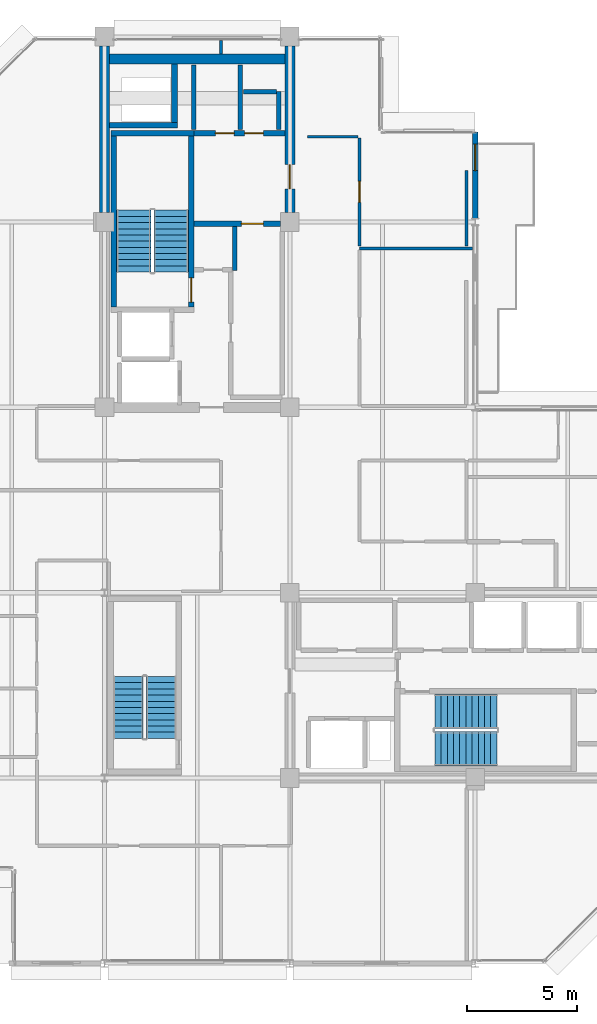
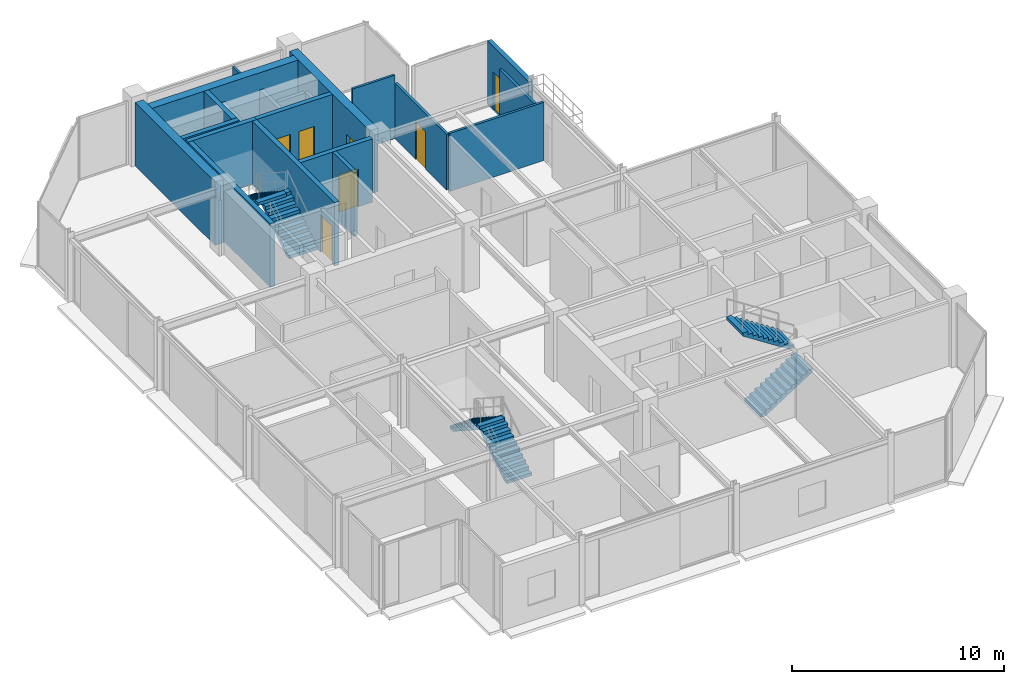
# One storey, part 22 of 25: 21 walls, 7 doors, 6 stair flights, 7 openings, 3 elements without a shape of their own.
"""IFC4 building model written with IfcOpenShell, lengths in metres."""

from ifc_helpers import new_model, si_unit, direction, frame, frame_2d, origin, place, context, subcontext, project, spatial, polyline, rectangle, outline, extrude, material, layer, layer_set, type_object, element, fill, aggregate, save


model = new_model("IFC4")

# Units and contexts
model_context = context("Model", 3, precision=1e-05, world=origin(), true_north=direction((0.0, 1.0)))
body_context = subcontext(model_context, "Body", "Model", "MODEL_VIEW")
ifc_project = project(units=[si_unit("LENGTHUNIT", "METRE"), si_unit("AREAUNIT", "SQUARE_METRE"), si_unit("VOLUMEUNIT", "CUBIC_METRE"), si_unit("PLANEANGLEUNIT", "RADIAN"), si_unit("MASSUNIT", "GRAM", prefix="KILO")], contexts=[model_context])

# Site, building, storey
site_placement = place(None, origin())
site = spatial("IfcSite", under=ifc_project, at=site_placement, CompositionType="ELEMENT")
building_placement = place(site_placement, origin())
building = spatial("IfcBuilding", under=site, at=building_placement, Name="Nerrivon Quay Data Exchange", CompositionType="ELEMENT")
storey_placement = place(building_placement, frame((0.0, 0.0, 318.199951171875)))
storey = spatial("IfcBuildingStorey", under=building, at=storey_placement, Name="L76", CompositionType="ELEMENT", Elevation=318.199951171875)

# Wall, opening, door
ifc_material_1 = material(Name="Architectural terracotta precast concrete N50 (50 MPa)", Category="masonry")
ifc_layer_1 = layer(ifc_material_1, 0.239990234375)
ifc_layer_set_1 = layer_set([ifc_layer_1], Name="Architectural terracotta precast concrete N50 (50 MPa)")
wall_type_1 = type_object("IfcWallType", Name="EW-PREC-240", PredefinedType="STANDARD", material=ifc_layer_set_1)
wall_1_placement = place(storey_placement, frame((25.199951171875, 37.679931640625, 0.0), z_axis=(0.0, 0.0, 1.0), x_axis=(0.0, -1.0, 0.0)))
wall_1 = element("IfcWall", 1, at=wall_1_placement, inside=storey, type_object=wall_type_1, Name="L76 Terrace Host Wall 19", PredefinedType="STANDARD", context=body_context, shape_type="SweptSolid", body=[
    extrude(rectangle(XDim=3.91650390625, YDim=0.239990234375, at=frame_2d((1.958251953125, 0.0))), origin(), (0.0, 0.0, 1.0), 3.650146484375),
])
opening_1_placement = place(wall_1_placement, frame((0.550048828125, 0.0, 0.0)))
opening_1 = element("IfcOpeningElement", 2, at=opening_1_placement, cuts=wall_1, Name="Opening TD1", PredefinedType="OPENING", context=body_context, shape_type="SweptSolid", body=[
    extrude(rectangle(XDim=1.199951171875, YDim=2.199951171875, at=frame_2d((0.60009765625, 1.10009765625))), frame((0.0, 0.1298828125, 0.0), z_axis=(0.0, -1.0, 0.0), x_axis=(1.0, 0.0, 0.0)), (0.0, 0.0, 1.0), 0.260009765625),
])
ifc_material_2 = material(Name="Double-glazed low-E solar control glass", Category="glass")
door_type_1 = type_object("IfcDoorType", Name="DR-TERR-1200x2200", OperationType="NOTDEFINED", PredefinedType="DOOR", material=ifc_material_2)
door_1_placement = place(opening_1_placement, origin())
door_1 = element("IfcDoor", 3, at=door_1_placement, inside=storey, type_object=door_type_1, Name="L76 Outdoor Terrace Access Door 19", OperationType="SINGLE_SWING_RIGHT", OverallHeight=2.199951171875, OverallWidth=1.199951171875, PredefinedType="DOOR", context=body_context, shape_type="SweptSolid", body=[
    extrude(rectangle(XDim=1.199951171875, YDim=2.199951171875, at=frame_2d((0.60009765625, 1.10009765625))), frame((0.0, 0.02490234375, 0.0), z_axis=(0.0, -1.0, 0.0), x_axis=(1.0, 0.0, 0.0)), (0.0, 0.0, 1.0), 0.050048828125),
])
fill(opening_1, door_1)

# Walls
ifc_material_3 = material(Name="Concrete N50 (50 MPa)", Category="concrete")
ifc_layer_2 = layer(ifc_material_3, 0.449951171875)
ifc_layer_set_2 = layer_set([ifc_layer_2], Name="Concrete N50 (50 MPa)")
wall_type_2 = type_object("IfcWallType", Name="WALL-CW-550", PredefinedType="SHEAR", material=ifc_layer_set_2)
wall_2_placement = place(storey_placement, frame((8.39990234375, 34.02490234375, 0.0), z_axis=(0.0, 0.0, 1.0), x_axis=(0.0, 1.0, 0.0)))
element("IfcWall", 4, at=wall_2_placement, inside=storey, type_object=wall_type_2, Name="L76 West Split-Core Shear Wall WCW-W2", PredefinedType="SHEAR", context=body_context, shape_type="SweptSolid", body=[
    extrude(rectangle(XDim=7.550048828125, YDim=0.449951171875, at=frame_2d((3.77490234375, 0.0))), origin(), (0.0, 0.0, 1.0), 3.650146484375),
])
wall_3_placement = place(storey_placement, frame((8.625, 40.97509765625, 0.0), z_axis=(0.0, 0.0, 1.0), x_axis=(1.0, 0.0, 0.0)))
element("IfcWall", 5, at=wall_3_placement, inside=storey, type_object=wall_type_2, Name="L76 West Split-Core Shear Wall WCW-N1", PredefinedType="SHEAR", context=body_context, shape_type="SweptSolid", body=[
    extrude(rectangle(XDim=7.949951171875, YDim=0.449951171875, at=frame_2d((3.97509765625, 0.0))), origin(), (0.0, 0.0, 1.0), 3.650146484375),
])

# Wall, opening, door
wall_4_placement = place(storey_placement, frame((16.800048828125, 34.02490234375, 0.0), z_axis=(0.0, 0.0, 1.0), x_axis=(0.0, 1.0, 0.0)))
wall_4 = element("IfcWall", 6, at=wall_4_placement, inside=storey, type_object=wall_type_2, Name="L76 West Split-Core Shear Wall WCW-E1", PredefinedType="SHEAR", context=body_context, shape_type="SweptSolid", body=[
    extrude(rectangle(XDim=7.550048828125, YDim=0.449951171875, at=frame_2d((3.77490234375, 0.0))), origin(), (0.0, 0.0, 1.0), 3.650146484375),
])
opening_2_placement = place(wall_4_placement, frame((1.074951171875, 0.0, 0.0)))
opening_2 = element("IfcOpeningElement", 7, at=opening_2_placement, cuts=wall_4, Name="Opening FD-120", PredefinedType="OPENING", context=body_context, shape_type="SweptSolid", body=[
    extrude(rectangle(XDim=1.10009765625, YDim=2.14990234375, at=frame_2d((0.550048828125, 1.074951171875))), frame((0.0, 0.23486328125, 0.0), z_axis=(0.0, -1.0, 0.0), x_axis=(1.0, 0.0, 0.0)), (0.0, 0.0, 1.0), 0.469970703125),
])
ifc_material_4 = material(Name="Powder-coated galvanized steel sheet", Category="steel")
door_type_2 = type_object("IfcDoorType", Name="DR-FD120-1100", OperationType="NOTDEFINED", PredefinedType="DOOR", material=ifc_material_4)
door_2_placement = place(opening_2_placement, origin())
door_2 = element("IfcDoor", 8, at=door_2_placement, inside=storey, type_object=door_type_2, Name="L76 West Core Lobby Fire Door", OperationType="SINGLE_SWING_RIGHT", OverallHeight=2.14990234375, OverallWidth=1.10009765625, PredefinedType="DOOR", context=body_context, shape_type="SweptSolid", body=[
    extrude(rectangle(XDim=1.10009765625, YDim=2.14990234375, at=frame_2d((0.550048828125, 1.074951171875))), frame((0.0, 0.02490234375, 0.0), z_axis=(0.0, -1.0, 0.0), x_axis=(1.0, 0.0, 0.0)), (0.0, 0.0, 1.0), 0.050048828125),
])
fill(opening_2, door_2)

# Walls
ifc_material_5 = material(Name="Gypsum plasterboard on cold-formed framing", Category="gypsum")
ifc_layer_3 = layer(ifc_material_5, 0.199951171875)
ifc_layer_set_3 = layer_set([ifc_layer_3], Name="Gypsum plasterboard on cold-formed framing")
wall_type_3 = type_object("IfcWallType", Name="WALL-FW-200", PredefinedType="PARTITIONING", material=ifc_layer_set_3)
wall_5_placement = place(storey_placement, frame((14.300048828125, 33.39111328125, 0.0), z_axis=(0.0, 0.0, 1.0), x_axis=(0.0, -1.0, 0.0)))
element("IfcWall", 9, at=wall_5_placement, inside=storey, type_object=wall_type_3, Name="L76 Partition Core Equipment Store", PredefinedType="PARTITIONING", context=body_context, shape_type="SweptSolid", body=[
    extrude(rectangle(XDim=1.9912109375, YDim=0.199951171875, at=frame_2d((0.99560546875, 0.0))), origin(), (0.0, 0.0, 1.0), 3.650146484375),
])
for number, where, z_axis, x_axis, name in (
    (10, (14.550048828125, 37.780029296875, 0.0), (0.0, 0.0, 1.0), (0.0, 1.0, 0.0), "L76 Partition Electrical Switchboard Closet"),
    (11, (12.449951171875, 40.699951171875, 0.0), (0.0, 0.0, 1.0), (0.0, -1.0, 0.0), "L76 Partition Electrical Switchboard Closet"),
):
    element("IfcWall", number, at=place(storey_placement, frame(where, z_axis=z_axis, x_axis=x_axis)), inside=storey, type_object=wall_type_3, Name=name, PredefinedType="PARTITIONING", context=body_context, shape_type="SweptSolid", body=[
        extrude(rectangle(XDim=2.919921875, YDim=0.199951171875, at=frame_2d((1.4599609375, 0.0))), origin(), (0.0, 0.0, 1.0), 2.699951171875),
    ])
wall_6_placement = place(storey_placement, frame((16.300048828125, 37.780029296875, 0.0), z_axis=(0.0, 0.0, 1.0), x_axis=(0.0, 1.0, 0.0)))
element("IfcWall", 12, at=wall_6_placement, inside=storey, type_object=wall_type_3, Name="L76 Partition Janitor Closet", PredefinedType="PARTITIONING", context=body_context, shape_type="SweptSolid", body=[
    extrude(rectangle(XDim=1.719970703125, YDim=0.199951171875, at=frame_2d((0.85986328125, 0.0))), origin(), (0.0, 0.0, 1.0), 2.699951171875),
])
wall_7_placement = place(storey_placement, frame((16.196044921875, 39.5, 0.0), z_axis=(0.0, 0.0, 1.0), x_axis=(-1.0, 0.0, 0.0)))
element("IfcWall", 13, at=wall_7_placement, inside=storey, type_object=wall_type_3, Name="L76 Partition Janitor Closet", PredefinedType="PARTITIONING", context=body_context, shape_type="SweptSolid", body=[
    extrude(rectangle(XDim=1.506103515625, YDim=0.199951171875, at=frame_2d((0.7529296875, 0.0))), origin(), (0.0, 0.0, 1.0), 2.699951171875),
])
ifc_layer_4 = layer(ifc_material_5, 0.1201171875)
ifc_layer_set_4 = layer_set([ifc_layer_4], Name="Gypsum plasterboard on cold-formed framing")
wall_type_4 = type_object("IfcWallType", Name="WALL-PT-120", PredefinedType="PARTITIONING", material=ifc_layer_set_4)
wall_8_placement = place(storey_placement, frame((13.6826171875, 41.8310546875, 0.0), z_axis=(0.0, 0.0, 1.0), x_axis=(0.0, -1.0, 0.0)))
element("IfcWall", 14, at=wall_8_placement, inside=storey, type_object=wall_type_4, Name="L76 Partition Peering Day Lounge", PredefinedType="PARTITIONING", context=body_context, shape_type="SweptSolid", body=[
    extrude(rectangle(XDim=0.626953125, YDim=0.1201171875, at=frame_2d((0.3134765625, 0.0))), origin(), (0.0, 0.0, 1.0), 3.650146484375),
])
wall_9_placement = place(storey_placement, frame((17.60009765625, 37.4599609375, 0.0), z_axis=(0.0, 0.0, 1.0), x_axis=(1.0, 0.0, 0.0)))
element("IfcWall", 15, at=wall_9_placement, inside=storey, type_object=wall_type_4, Name="L76 Partition Peering Day Lounge", PredefinedType="PARTITIONING", context=body_context, shape_type="SweptSolid", body=[
    extrude(rectangle(XDim=2.2998046875, YDim=0.1201171875, at=frame_2d((1.14990234375, 0.0))), origin(), (0.0, 0.0, 1.0), 3.650146484375),
])
ifc_layer_5 = layer(ifc_material_5, 0.135009765625)
ifc_layer_set_5 = layer_set([ifc_layer_5], Name="Gypsum plasterboard on cold-formed framing")
wall_type_5 = type_object("IfcWallType", Name="WALL-PT-135", PredefinedType="PARTITIONING", material=ifc_layer_set_5)
wall_10_placement = place(storey_placement, frame((25.075927734375, 32.39794921875, 0.0), z_axis=(0.0, 0.0, 1.0), x_axis=(-1.0, 0.0, 0.0)))
element("IfcWall", 16, at=wall_10_placement, inside=storey, type_object=wall_type_5, Name="L76 Partition Engineers Lounge", PredefinedType="PARTITIONING", context=body_context, shape_type="SweptSolid", body=[
    extrude(rectangle(XDim=5.115966796875, YDim=0.135009765625, at=frame_2d((2.55810546875, 0.0))), origin(), (0.0, 0.0, 1.0), 3.345947265625),
])

# Wall, opening, door
wall_11_placement = place(storey_placement, frame((19.9599609375, 37.39990234375, 0.0), z_axis=(0.0, 0.0, 1.0), x_axis=(0.0, -1.0, 0.0)))
wall_11 = element("IfcWall", 17, at=wall_11_placement, inside=storey, type_object=wall_type_5, Name="L76 Partition Peering Day Lounge", PredefinedType="PARTITIONING", context=body_context, shape_type="SweptSolid", body=[
    extrude(rectangle(XDim=4.8818359375, YDim=0.135009765625, at=frame_2d((2.44091796875, 0.0))), origin(), (0.0, 0.0, 1.0), 3.196044921875),
])
opening_3_placement = place(wall_11_placement, frame((1.966064453125, 0.0, 0.0)))
opening_3 = element("IfcOpeningElement", 18, at=opening_3_placement, cuts=wall_11, Name="Opening D-01", PredefinedType="OPENING", context=body_context, shape_type="SweptSolid", body=[
    extrude(rectangle(XDim=0.949951171875, YDim=2.14990234375, at=frame_2d((0.47509765625, 1.074951171875))), frame((0.0, 0.077392578125, 0.0), z_axis=(0.0, -1.0, 0.0), x_axis=(1.0, 0.0, 0.0)), (0.0, 0.0, 1.0), 0.155029296875),
])
ifc_material_6 = material(Name="Engineered hardwood timber", Category="wood")
door_type_3 = type_object("IfcDoorType", Name="DR-INT-950", OperationType="NOTDEFINED", PredefinedType="DOOR", material=ifc_material_6)
door_3_placement = place(opening_3_placement, origin())
door_3 = element("IfcDoor", 19, at=door_3_placement, inside=storey, type_object=door_type_3, Name="L76 Door Peering Day Lounge", OperationType="SINGLE_SWING_RIGHT", OverallHeight=2.14990234375, OverallWidth=0.949951171875, PredefinedType="DOOR", context=body_context, shape_type="SweptSolid", body=[
    extrude(rectangle(XDim=0.949951171875, YDim=2.14990234375, at=frame_2d((0.47509765625, 1.074951171875))), frame((0.0, 0.02490234375, 0.0), z_axis=(0.0, -1.0, 0.0), x_axis=(1.0, 0.0, 0.0)), (0.0, 0.0, 1.0), 0.050048828125),
])
fill(opening_3, door_3)

# Walls
wall_12_placement = place(storey_placement, frame((24.7958984375, 32.51806640625, 0.0), z_axis=(0.0, 0.0, 1.0), x_axis=(0.0, 1.0, 0.0)))
element("IfcWall", 20, at=wall_12_placement, inside=storey, type_object=wall_type_5, Name="L76 Partition Peering Day Lounge", PredefinedType="PARTITIONING", context=body_context, shape_type="SweptSolid", body=[
    extrude(rectangle(XDim=3.411865234375, YDim=0.135009765625, at=frame_2d((1.7060546875, 0.0))), origin(), (0.0, 0.0, 1.0), 3.196044921875),
])
ifc_layer_6 = layer(ifc_material_3, 0.25)
ifc_layer_set_6 = layer_set([ifc_layer_6], Name="Concrete N50 (50 MPa)")
wall_type_6 = type_object("IfcWallType", Name="WALL-SW-250", PredefinedType="SHEAR", material=ifc_layer_set_6)
wall_13_placement = place(storey_placement, frame((12.449951171875, 37.625, 0.0), z_axis=(0.0, 0.0, 1.0), x_axis=(-1.0, 0.0, 0.0)))
element("IfcWall", 21, at=wall_13_placement, inside=storey, type_object=wall_type_6, Name="L76 ST01 Structural Stair Core Wall FAR", PredefinedType="SHEAR", context=body_context, shape_type="SweptSolid", body=[
    extrude(rectangle(XDim=3.75, YDim=0.25, at=frame_2d((1.875, 0.0))), origin(), (0.0, 0.0, 1.0), 3.650146484375),
])

# Wall, opening, door
wall_14_placement = place(storey_placement, frame((12.324951171875, 29.75, 0.0), z_axis=(0.0, 0.0, 1.0), x_axis=(0.0, 1.0, 0.0)))
wall_14 = element("IfcWall", 22, at=wall_14_placement, inside=storey, type_object=wall_type_6, Name="L76 ST01 Structural Stair Core Wall LEFT", PredefinedType="SHEAR", context=body_context, shape_type="SweptSolid", body=[
    extrude(rectangle(XDim=7.75, YDim=0.25, at=frame_2d((3.875, 0.0))), origin(), (0.0, 0.0, 1.0), 3.650146484375),
])
opening_4_placement = place(wall_14_placement, frame((0.219970703125, 0.0, 0.0)))
opening_4 = element("IfcOpeningElement", 23, at=opening_4_placement, cuts=wall_14, Name="Opening FD-120", PredefinedType="OPENING", context=body_context, shape_type="SweptSolid", body=[
    extrude(rectangle(XDim=1.10009765625, YDim=2.14990234375, at=frame_2d((0.550048828125, 1.074951171875))), frame((0.0, 0.135009765625, 0.0), z_axis=(0.0, -1.0, 0.0), x_axis=(1.0, 0.0, 0.0)), (0.0, 0.0, 1.0), 0.27001953125),
])
door_4_placement = place(opening_4_placement, origin())
door_4 = element("IfcDoor", 24, at=door_4_placement, inside=storey, type_object=door_type_2, Name="L76 Protected Stair Door ST01", OperationType="SINGLE_SWING_LEFT", OverallHeight=2.14990234375, OverallWidth=1.10009765625, PredefinedType="DOOR", context=body_context, shape_type="SweptSolid", body=[
    extrude(rectangle(XDim=1.10009765625, YDim=2.14990234375, at=frame_2d((0.550048828125, 1.074951171875))), frame((0.0, 0.02490234375, 0.0), z_axis=(0.0, -1.0, 0.0), x_axis=(1.0, 0.0, 0.0)), (0.0, 0.0, 1.0), 0.050048828125),
])
fill(opening_4, door_4)

# Walls
wall_15_placement = place(storey_placement, frame((8.824951171875, 29.75, 0.0), z_axis=(0.0, 0.0, 1.0), x_axis=(0.0, 1.0, 0.0)))
element("IfcWall", 25, at=wall_15_placement, inside=storey, type_object=wall_type_6, Name="L76 ST01 Structural Stair Core Wall RIGHT", PredefinedType="SHEAR", context=body_context, shape_type="SweptSolid", body=[
    extrude(rectangle(XDim=7.75, YDim=0.25, at=frame_2d((3.875, 0.0))), origin(), (0.0, 0.0, 1.0), 3.650146484375),
])
wall_16_placement = place(storey_placement, frame((8.625, 37.97509765625, 0.0), z_axis=(0.0, 0.0, 1.0), x_axis=(1.0, 0.0, 0.0)))
element("IfcWall", 26, at=wall_16_placement, inside=storey, type_object=wall_type_6, Name="L76 West Core MEP Riser Shaft Wall S", PredefinedType="SHEAR", context=body_context, shape_type="SweptSolid", body=[
    extrude(rectangle(XDim=3.074951171875, YDim=0.25, at=frame_2d((1.53759765625, 0.0))), origin(), (0.0, 0.0, 1.0), 3.650146484375),
])
wall_17_placement = place(storey_placement, frame((11.574951171875, 38.10009765625, 0.0), z_axis=(0.0, 0.0, 1.0), x_axis=(0.0, 1.0, 0.0)))
element("IfcWall", 27, at=wall_17_placement, inside=storey, type_object=wall_type_6, Name="L76 West Core MEP Riser Shaft Wall E", PredefinedType="SHEAR", context=body_context, shape_type="SweptSolid", body=[
    extrude(rectangle(XDim=2.64990234375, YDim=0.25, at=frame_2d((1.324951171875, 0.0))), origin(), (0.0, 0.0, 1.0), 3.650146484375),
])

# Wall, opening, door
wall_18_placement = place(storey_placement, frame((12.449951171875, 33.52001953125, 0.0), z_axis=(0.0, 0.0, 1.0), x_axis=(1.0, 0.0, 0.0)))
wall_18 = element("IfcWall", 28, at=wall_18_placement, inside=storey, type_object=wall_type_6, Name="L76 West Lobby Smoke-Stop Wall", PredefinedType="SHEAR", context=body_context, shape_type="SweptSolid", body=[
    extrude(rectangle(XDim=3.925048828125, YDim=0.25, at=frame_2d((1.96240234375, 0.0))), origin(), (0.0, 0.0, 1.0), 3.650146484375),
])
opening_5_placement = place(wall_18_placement, frame((2.14990234375, 0.0, 0.0)))
opening_5 = element("IfcOpeningElement", 29, at=opening_5_placement, cuts=wall_18, Name="Opening FD-60", PredefinedType="OPENING", context=body_context, shape_type="SweptSolid", body=[
    extrude(rectangle(XDim=1.0, YDim=2.14990234375, at=frame_2d((0.5, 1.074951171875))), frame((0.0, 0.135009765625, 0.0), z_axis=(0.0, -1.0, 0.0), x_axis=(1.0, 0.0, 0.0)), (0.0, 0.0, 1.0), 0.27001953125),
])
door_type_4 = type_object("IfcDoorType", Name="DR-FD60-1000", OperationType="NOTDEFINED", PredefinedType="DOOR", material=ifc_material_6)
door_5_placement = place(opening_5_placement, origin())
door_5 = element("IfcDoor", 30, at=door_5_placement, inside=storey, type_object=door_type_4, Name="L76 West Firefighting Lobby Fire Door", OperationType="SINGLE_SWING_RIGHT", OverallHeight=2.14990234375, OverallWidth=1.0, PredefinedType="DOOR", context=body_context, shape_type="SweptSolid", body=[
    extrude(rectangle(XDim=1.0, YDim=2.14990234375, at=frame_2d((0.5, 1.074951171875))), frame((0.0, 0.02490234375, 0.0), z_axis=(0.0, -1.0, 0.0), x_axis=(1.0, 0.0, 0.0)), (0.0, 0.0, 1.0), 0.050048828125),
])
fill(opening_5, door_5)

# Wall, openings, doors
wall_19_placement = place(storey_placement, frame((12.449951171875, 37.625, 0.0), z_axis=(0.0, 0.0, 1.0), x_axis=(1.0, 0.0, 0.0)))
wall_19 = element("IfcWall", 31, at=wall_19_placement, inside=storey, type_object=wall_type_6, Name="L76 West Firefighting Lobby Wall", PredefinedType="SHEAR", context=body_context, shape_type="SweptSolid", body=[
    extrude(rectangle(XDim=4.125, YDim=0.25, at=frame_2d((2.0625, 0.0))), origin(), (0.0, 0.0, 1.0), 3.650146484375),
])
opening_6_placement = place(wall_19_placement, frame((0.9775390625, 0.0, 0.0)))
opening_6 = element("IfcOpeningElement", 32, at=opening_6_placement, cuts=wall_19, Name="Opening FD-60S", PredefinedType="OPENING", context=body_context, shape_type="SweptSolid", body=[
    extrude(rectangle(XDim=0.85009765625, YDim=2.14990234375, at=frame_2d((0.425048828125, 1.074951171875))), frame((0.0, 0.135009765625, 0.0), z_axis=(0.0, -1.0, 0.0), x_axis=(1.0, 0.0, 0.0)), (0.0, 0.0, 1.0), 0.27001953125),
])
opening_7_placement = place(wall_19_placement, frame((2.297607421875, 0.0, 0.0)))
opening_7 = element("IfcOpeningElement", 33, at=opening_7_placement, cuts=wall_19, Name="Opening FD-60S", PredefinedType="OPENING", context=body_context, shape_type="SweptSolid", body=[
    extrude(rectangle(XDim=0.85009765625, YDim=2.14990234375, at=frame_2d((0.425048828125, 1.074951171875))), frame((0.0, 0.135009765625, 0.0), z_axis=(0.0, -1.0, 0.0), x_axis=(1.0, 0.0, 0.0)), (0.0, 0.0, 1.0), 0.27001953125),
])
door_type_5 = type_object("IfcDoorType", Name="DR-FD60-850", OperationType="NOTDEFINED", PredefinedType="DOOR", material=ifc_material_6)
door_6_placement = place(opening_6_placement, origin())
door_6 = element("IfcDoor", 34, at=door_6_placement, inside=storey, type_object=door_type_5, Name="L76 Door Electrical Switchboard Closet", OperationType="SINGLE_SWING_RIGHT", OverallHeight=2.14990234375, OverallWidth=0.85009765625, PredefinedType="DOOR", context=body_context, shape_type="SweptSolid", body=[
    extrude(rectangle(XDim=0.85009765625, YDim=2.14990234375, at=frame_2d((0.425048828125, 1.074951171875))), frame((0.0, 0.02490234375, 0.0), z_axis=(0.0, -1.0, 0.0), x_axis=(1.0, 0.0, 0.0)), (0.0, 0.0, 1.0), 0.050048828125),
])
fill(opening_6, door_6)
door_7_placement = place(opening_7_placement, origin())
door_7 = element("IfcDoor", 35, at=door_7_placement, inside=storey, type_object=door_type_5, Name="L76 Door Janitor Closet", OperationType="SINGLE_SWING_LEFT", OverallHeight=2.14990234375, OverallWidth=0.85009765625, PredefinedType="DOOR", context=body_context, shape_type="SweptSolid", body=[
    extrude(rectangle(XDim=0.85009765625, YDim=2.14990234375, at=frame_2d((0.425048828125, 1.074951171875))), frame((0.0, 0.02490234375, 0.0), z_axis=(0.0, -1.0, 0.0), x_axis=(1.0, 0.0, 0.0)), (0.0, 0.0, 1.0), 0.050048828125),
])
fill(opening_7, door_7)

# Stair, stair flights
stair_type = type_object("IfcStairType", Name="STAIR-DOG-40", PredefinedType="HALF_TURN_STAIR", material=ifc_material_3)
stair_1_placement = place(storey_placement, origin())
stair_1 = element("IfcStair", 36, at=stair_1_placement, inside=storey, type_object=stair_type, Name="L76 West Core Fire Stair ST01", PredefinedType="HALF_TURN_STAIR")
stair_flight_type = type_object("IfcStairFlightType", Name="FLIGHT-DOG-40", PredefinedType="STRAIGHT", material=ifc_material_3)
stair_flight_1_placement = place(storey_placement, frame((11.425048828125, 31.330078125, 0.0), z_axis=(0.0, 0.0, 1.0), x_axis=(0.0, 1.0, 0.0)))
stair_flight_1 = element("IfcStairFlight", 37, at=stair_flight_1_placement, type_object=stair_flight_type, Name="ST01 flight 1", NumberOfRisers=11, NumberOfTreads=10, PredefinedType="STRAIGHT", RiserHeight=0.181818182, TreadLength=0.28, context=body_context, shape_type="SweptSolid", body=[
    extrude(outline(polyline([(0.0, 0.0), (0.0, 0.181884765625), (0.280029296875, 0.181884765625), (0.280029296875, 0.363525390625), (0.56005859375, 0.363525390625), (0.56005859375, 0.54541015625), (0.840087890625, 0.54541015625), (0.840087890625, 0.727294921875), (1.1201171875, 0.727294921875), (1.1201171875, 0.9091796875), (1.39990234375, 0.9091796875), (1.39990234375, 1.0908203125), (1.679931640625, 1.0908203125), (1.679931640625, 1.272705078125), (1.9599609375, 1.272705078125), (1.9599609375, 1.45458984375), (2.239990234375, 1.45458984375), (2.239990234375, 1.636474609375), (2.52001953125, 1.636474609375), (2.52001953125, 1.818115234375), (2.800048828125, 1.818115234375), (2.800048828125, 2.0), (2.800048828125, 1.639404296875), (0.275146484375, 0.0), (0.0, 0.0)])), frame((0.0, 0.77490234375, 0.0), z_axis=(0.0, -1.0, 0.0), x_axis=(1.0, 0.0, 0.0)), (0.0, 0.0, 1.0), 1.550048828125),
])
stair_flight_2_placement = place(storey_placement, frame((9.72509765625, 34.1298828125, 2.0), z_axis=(0.0, 0.0, 1.0), x_axis=(0.0, -1.0, 0.0)))
stair_flight_2 = element("IfcStairFlight", 38, at=stair_flight_2_placement, type_object=stair_flight_type, Name="ST01 flight 2", NumberOfRisers=11, NumberOfTreads=10, PredefinedType="STRAIGHT", RiserHeight=0.181818182, TreadLength=0.28, context=body_context, shape_type="SweptSolid", body=[
    extrude(outline(polyline([(0.0, 0.0), (0.0, 0.181884765625), (0.280029296875, 0.181884765625), (0.280029296875, 0.363525390625), (0.56005859375, 0.363525390625), (0.56005859375, 0.54541015625), (0.840087890625, 0.54541015625), (0.840087890625, 0.727294921875), (1.1201171875, 0.727294921875), (1.1201171875, 0.9091796875), (1.39990234375, 0.9091796875), (1.39990234375, 1.0908203125), (1.679931640625, 1.0908203125), (1.679931640625, 1.272705078125), (1.9599609375, 1.272705078125), (1.9599609375, 1.45458984375), (2.239990234375, 1.45458984375), (2.239990234375, 1.636474609375), (2.52001953125, 1.636474609375), (2.52001953125, 1.818115234375), (2.800048828125, 1.818115234375), (2.800048828125, 2.0), (2.800048828125, 1.639404296875), (0.275146484375, 0.0), (0.0, 0.0)])), frame((0.0, 0.77490234375, 0.0), z_axis=(0.0, -1.0, 0.0), x_axis=(1.0, 0.0, 0.0)), (0.0, 0.0, 1.0), 1.550048828125),
])
aggregate(stair_1, [stair_flight_1, stair_flight_2])

stair_2_placement = place(storey_placement, origin())
stair_2 = element("IfcStair", 39, at=stair_2_placement, inside=storey, type_object=stair_type, Name="L76 East Core Fire Stair ST02", PredefinedType="HALF_TURN_STAIR")
stair_flight_3_placement = place(storey_placement, frame((23.3798828125, 9.72509765625, 0.0), z_axis=(0.0, 0.0, 1.0), x_axis=(1.0, 0.0, 0.0)))
stair_flight_3 = element("IfcStairFlight", 40, at=stair_flight_3_placement, type_object=stair_flight_type, Name="ST02 flight 1", NumberOfRisers=11, NumberOfTreads=10, PredefinedType="STRAIGHT", RiserHeight=0.181818182, TreadLength=0.28, context=body_context, shape_type="SweptSolid", body=[
    extrude(outline(polyline([(0.0, 0.0), (0.0, 0.181884765625), (0.280029296875, 0.181884765625), (0.280029296875, 0.363525390625), (0.56005859375, 0.363525390625), (0.56005859375, 0.54541015625), (0.840087890625, 0.54541015625), (0.840087890625, 0.727294921875), (1.1201171875, 0.727294921875), (1.1201171875, 0.9091796875), (1.39990234375, 0.9091796875), (1.39990234375, 1.0908203125), (1.679931640625, 1.0908203125), (1.679931640625, 1.272705078125), (1.9599609375, 1.272705078125), (1.9599609375, 1.45458984375), (2.239990234375, 1.45458984375), (2.239990234375, 1.636474609375), (2.52001953125, 1.636474609375), (2.52001953125, 1.818115234375), (2.800048828125, 1.818115234375), (2.800048828125, 2.0), (2.800048828125, 1.639404296875), (0.275146484375, 0.0), (0.0, 0.0)])), frame((0.0, 0.77490234375, 0.0), z_axis=(0.0, -1.0, 0.0), x_axis=(1.0, 0.0, 0.0)), (0.0, 0.0, 1.0), 1.550048828125),
])
stair_flight_4_placement = place(storey_placement, frame((26.179931640625, 11.425048828125, 2.0), z_axis=(0.0, 0.0, 1.0), x_axis=(-1.0, 0.0, 0.0)))
stair_flight_4 = element("IfcStairFlight", 41, at=stair_flight_4_placement, type_object=stair_flight_type, Name="ST02 flight 2", NumberOfRisers=11, NumberOfTreads=10, PredefinedType="STRAIGHT", RiserHeight=0.181818182, TreadLength=0.28, context=body_context, shape_type="SweptSolid", body=[
    extrude(outline(polyline([(0.0, 0.0), (0.0, 0.181884765625), (0.280029296875, 0.181884765625), (0.280029296875, 0.363525390625), (0.56005859375, 0.363525390625), (0.56005859375, 0.54541015625), (0.840087890625, 0.54541015625), (0.840087890625, 0.727294921875), (1.1201171875, 0.727294921875), (1.1201171875, 0.9091796875), (1.39990234375, 0.9091796875), (1.39990234375, 1.0908203125), (1.679931640625, 1.0908203125), (1.679931640625, 1.272705078125), (1.9599609375, 1.272705078125), (1.9599609375, 1.45458984375), (2.239990234375, 1.45458984375), (2.239990234375, 1.636474609375), (2.52001953125, 1.636474609375), (2.52001953125, 1.818115234375), (2.800048828125, 1.818115234375), (2.800048828125, 2.0), (2.800048828125, 1.639404296875), (0.275146484375, 0.0), (0.0, 0.0)])), frame((0.0, 0.77490234375, 0.0), z_axis=(0.0, -1.0, 0.0), x_axis=(1.0, 0.0, 0.0)), (0.0, 0.0, 1.0), 1.550048828125),
])
aggregate(stair_2, [stair_flight_3, stair_flight_4])

stair_3_placement = place(storey_placement, origin())
stair_3 = element("IfcStair", 42, at=stair_3_placement, inside=storey, type_object=stair_type, Name="L76 Crown Maintenance Stair ST08", PredefinedType="HALF_TURN_STAIR")
stair_flight_5_placement = place(storey_placement, frame((10.97509765625, 10.199951171875, 0.0), z_axis=(0.0, 0.0, 1.0), x_axis=(0.0, 1.0, 0.0)))
stair_flight_5 = element("IfcStairFlight", 43, at=stair_flight_5_placement, type_object=stair_flight_type, Name="ST08 flight 1", NumberOfRisers=11, NumberOfTreads=10, PredefinedType="STRAIGHT", RiserHeight=0.181818182, TreadLength=0.28, context=body_context, shape_type="SweptSolid", body=[
    extrude(outline(polyline([(0.0, 0.0), (0.0, 0.181884765625), (0.280029296875, 0.181884765625), (0.280029296875, 0.363525390625), (0.56005859375, 0.363525390625), (0.56005859375, 0.54541015625), (0.840087890625, 0.54541015625), (0.840087890625, 0.727294921875), (1.1201171875, 0.727294921875), (1.1201171875, 0.9091796875), (1.39990234375, 0.9091796875), (1.39990234375, 1.0908203125), (1.679931640625, 1.0908203125), (1.679931640625, 1.272705078125), (1.9599609375, 1.272705078125), (1.9599609375, 1.45458984375), (2.239990234375, 1.45458984375), (2.239990234375, 1.636474609375), (2.52001953125, 1.636474609375), (2.52001953125, 1.818115234375), (2.800048828125, 1.818115234375), (2.800048828125, 2.0), (2.800048828125, 1.639404296875), (0.275146484375, 0.0), (0.0, 0.0)])), frame((0.0, 0.675048828125, 0.0), z_axis=(0.0, -1.0, 0.0), x_axis=(1.0, 0.0, 0.0)), (0.0, 0.0, 1.0), 1.35009765625),
])
stair_flight_6_placement = place(storey_placement, frame((9.47509765625, 13.0, 2.0), z_axis=(0.0, 0.0, 1.0), x_axis=(0.0, -1.0, 0.0)))
stair_flight_6 = element("IfcStairFlight", 44, at=stair_flight_6_placement, type_object=stair_flight_type, Name="ST08 flight 2", NumberOfRisers=11, NumberOfTreads=10, PredefinedType="STRAIGHT", RiserHeight=0.181818182, TreadLength=0.28, context=body_context, shape_type="SweptSolid", body=[
    extrude(outline(polyline([(0.0, 0.0), (0.0, 0.181884765625), (0.280029296875, 0.181884765625), (0.280029296875, 0.363525390625), (0.56005859375, 0.363525390625), (0.56005859375, 0.54541015625), (0.840087890625, 0.54541015625), (0.840087890625, 0.727294921875), (1.1201171875, 0.727294921875), (1.1201171875, 0.9091796875), (1.39990234375, 0.9091796875), (1.39990234375, 1.0908203125), (1.679931640625, 1.0908203125), (1.679931640625, 1.272705078125), (1.9599609375, 1.272705078125), (1.9599609375, 1.45458984375), (2.239990234375, 1.45458984375), (2.239990234375, 1.636474609375), (2.52001953125, 1.636474609375), (2.52001953125, 1.818115234375), (2.800048828125, 1.818115234375), (2.800048828125, 2.0), (2.800048828125, 1.639404296875), (0.275146484375, 0.0), (0.0, 0.0)])), frame((0.0, 0.675048828125, 0.0), z_axis=(0.0, -1.0, 0.0), x_axis=(1.0, 0.0, 0.0)), (0.0, 0.0, 1.0), 1.35009765625),
])
aggregate(stair_3, [stair_flight_5, stair_flight_6])

save(model, "model.ifc")
